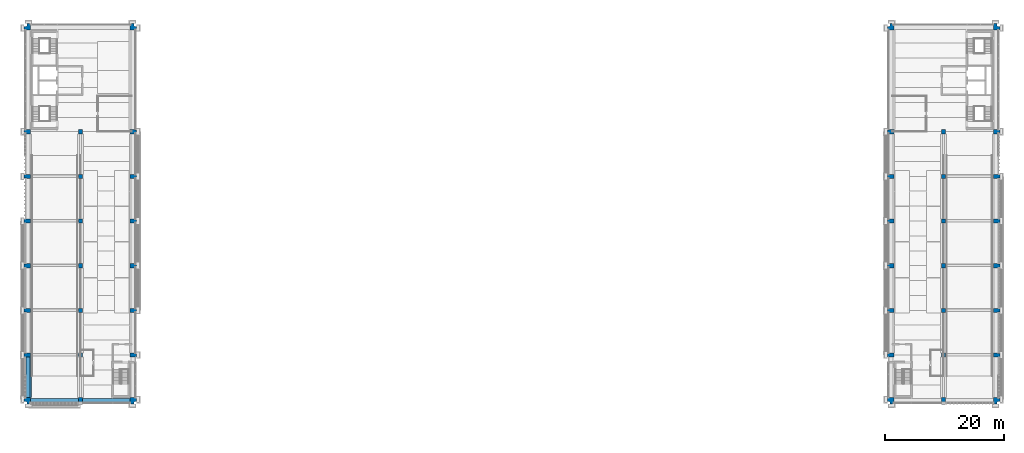
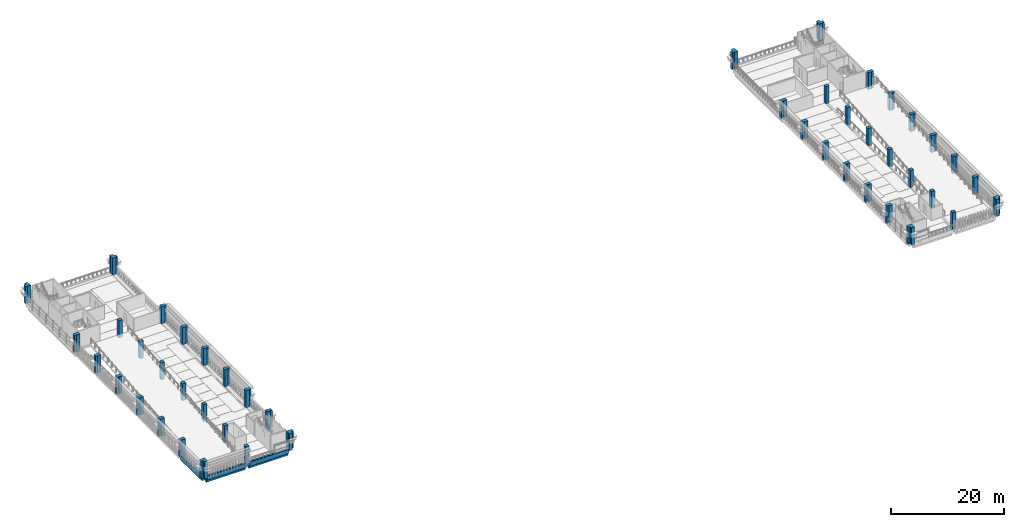
# One storey, part 1 of 25: 46 columns, 3 beams.
"""IFC4 building model written with IfcOpenShell, lengths in metres."""

from ifc_helpers import new_model, si_unit, direction, frame, origin, place, context, subcontext, project, spatial, polyline, outline, extrude, material, material_profile, profile_set, type_object, element, save


model = new_model("IFC4")

# Units and contexts
model_context = context("Model", 3, precision=1e-05, world=origin(), true_north=direction((0.0, 1.0)))
body_context = subcontext(model_context, "Body", "Model", "MODEL_VIEW")
ifc_project = project(units=[si_unit("LENGTHUNIT", "METRE"), si_unit("AREAUNIT", "SQUARE_METRE"), si_unit("VOLUMEUNIT", "CUBIC_METRE"), si_unit("PLANEANGLEUNIT", "RADIAN"), si_unit("MASSUNIT", "GRAM", prefix="KILO")], contexts=[model_context])

# Site, building, storey
site_placement = place(None, origin())
site = spatial("IfcSite", under=ifc_project, at=site_placement, CompositionType="ELEMENT")
building_placement = place(site_placement, origin())
building = spatial("IfcBuilding", under=site, at=building_placement, Name="Cour d'Honneur Mobility Palace", CompositionType="ELEMENT")
storey_placement = place(building_placement, frame((0.0, 0.0, 30.39990234375)))
storey = spatial("IfcBuildingStorey", under=building, at=storey_placement, Name="L08", CompositionType="ELEMENT", Elevation=30.39990234375)

# Columns
ifc_material_1 = material(Name="Concrete C50", Category="concrete")
ifc_material_profile_1 = material_profile(ifc_material_1, outline(polyline([(-0.35009765625, -0.35009765625), (0.35009765625, -0.35009765625), (0.35009765625, -0.300048828125), (0.75, -0.300048828125), (0.75, 0.300048828125), (0.35009765625, 0.300048828125), (0.35009765625, 0.35009765625), (0.300048828125, 0.35009765625), (0.300048828125, 0.75), (-0.300048828125, 0.75), (-0.300048828125, 0.35009765625), (-0.35009765625, 0.35009765625), (-0.35009765625, -0.35009765625)])), Name="PC C700 corner")
ifc_profile_set_1 = profile_set([ifc_material_profile_1], Name="Concrete C50")
column_type_1 = type_object("IfcColumnType", Name="Precast Column 700 corner", PredefinedType="COLUMN", material=ifc_profile_set_1)
for number, where, z_axis, x_axis, name in (
    (1, (0.0, 0.0, 0.0), (0.0, 0.0, 1.0), (-1.0, 0.0, 0.0), "Precast column C7 1/A L08"),
    (2, (17.39990234375, 0.0, 0.0), (0.0, 0.0, 1.0), (0.0, -1.0, 0.0), "Precast column C7 2/A L08"),
    (3, (144.89990234375, 0.0, 0.0), (0.0, 0.0, 1.0), (-1.0, 0.0, 0.0), "Precast column C7 19/A L08"),
    (4, (162.300048828125, 0.0, 0.0), (0.0, 0.0, 1.0), (0.0, -1.0, 0.0), "Precast column C7 20/A L08"),
    (5, (0.0, 62.39990234375, 0.0), (0.0, 0.0, 1.0), (0.0, 1.0, 0.0), "Precast column C7 1/H L08"),
    (6, (17.39990234375, 62.39990234375, 0.0), (0.0, 0.0, 1.0), (1.0, 0.0, 0.0), "Precast column C7 2/H L08"),
    (7, (144.89990234375, 62.39990234375, 0.0), (0.0, 0.0, 1.0), (0.0, 1.0, 0.0), "Precast column C7 19/H L08"),
    (8, (162.300048828125, 62.39990234375, 0.0), (0.0, 0.0, 1.0), (1.0, 0.0, 0.0), "Precast column C7 20/H L08"),
):
    element("IfcColumn", number, at=place(storey_placement, frame(where, z_axis=z_axis, x_axis=x_axis)), inside=storey, type_object=column_type_1, Name=name, PredefinedType="COLUMN", context=body_context, shape_type="SweptSolid", body=[
        extrude(outline(polyline([(-0.35009765625, -0.35009765625), (0.35009765625, -0.35009765625), (0.35009765625, -0.300048828125), (0.75, -0.300048828125), (0.75, 0.300048828125), (0.35009765625, 0.300048828125), (0.35009765625, 0.35009765625), (0.300048828125, 0.35009765625), (0.300048828125, 0.75), (-0.300048828125, 0.75), (-0.300048828125, 0.35009765625), (-0.35009765625, 0.35009765625), (-0.35009765625, -0.35009765625)])), origin(), (0.0, 0.0, 1.0), 3.7001953125),
    ])
ifc_material_2 = material(Name="Concrete C50", Category="concrete")
ifc_material_profile_2 = material_profile(ifc_material_2, outline(polyline([(-0.35009765625, -0.35009765625), (0.35009765625, -0.35009765625), (0.35009765625, -0.300048828125), (0.75, -0.300048828125), (0.75, 0.300048828125), (0.35009765625, 0.300048828125), (0.35009765625, 0.35009765625), (-0.35009765625, 0.35009765625), (-0.35009765625, -0.35009765625)])), Name="PC C700 pilaster")
ifc_profile_set_2 = profile_set([ifc_material_profile_2], Name="Concrete C50")
column_type_2 = type_object("IfcColumnType", Name="Precast Column 700 pilaster", PredefinedType="COLUMN", material=ifc_profile_set_2)
for number, where, z_axis, x_axis, name in (
    (9, (0.0, 7.5, 0.0), (0.0, 0.0, 1.0), (-1.0, 0.0, 0.0), "Precast column C9 1/B L08"),
    (10, (17.39990234375, 7.5, 0.0), (0.0, 0.0, 1.0), (1.0, 0.0, 0.0), "Precast column C9 2/B L08"),
    (11, (144.89990234375, 7.5, 0.0), (0.0, 0.0, 1.0), (-1.0, 0.0, 0.0), "Precast column C9 19/B L08"),
    (12, (162.300048828125, 7.5, 0.0), (0.0, 0.0, 1.0), (1.0, 0.0, 0.0), "Precast column C9 20/B L08"),
    (13, (0.0, 15.0, 0.0), (0.0, 0.0, 1.0), (-1.0, 0.0, 0.0), "Precast column C9 1/C L08"),
    (14, (17.39990234375, 15.0, 0.0), (0.0, 0.0, 1.0), (1.0, 0.0, 0.0), "Precast column C9 2/C L08"),
    (15, (144.89990234375, 15.0, 0.0), (0.0, 0.0, 1.0), (-1.0, 0.0, 0.0), "Precast column C9 19/C L08"),
    (16, (162.300048828125, 15.0, 0.0), (0.0, 0.0, 1.0), (1.0, 0.0, 0.0), "Precast column C9 20/C L08"),
    (17, (0.0, 22.5, 0.0), (0.0, 0.0, 1.0), (-1.0, 0.0, 0.0), "Precast column C9 1/D L08"),
    (18, (17.39990234375, 22.5, 0.0), (0.0, 0.0, 1.0), (1.0, 0.0, 0.0), "Precast column C9 2/D L08"),
    (19, (144.89990234375, 22.5, 0.0), (0.0, 0.0, 1.0), (-1.0, 0.0, 0.0), "Precast column C9 19/D L08"),
    (20, (162.300048828125, 22.5, 0.0), (0.0, 0.0, 1.0), (1.0, 0.0, 0.0), "Precast column C9 20/D L08"),
    (21, (0.0, 30.0, 0.0), (0.0, 0.0, 1.0), (-1.0, 0.0, 0.0), "Precast column C9 1/E L08"),
    (22, (17.39990234375, 30.0, 0.0), (0.0, 0.0, 1.0), (1.0, 0.0, 0.0), "Precast column C9 2/E L08"),
    (23, (144.89990234375, 30.0, 0.0), (0.0, 0.0, 1.0), (-1.0, 0.0, 0.0), "Precast column C9 19/E L08"),
    (24, (162.300048828125, 30.0, 0.0), (0.0, 0.0, 1.0), (1.0, 0.0, 0.0), "Precast column C9 20/E L08"),
    (25, (0.0, 37.5, 0.0), (0.0, 0.0, 1.0), (-1.0, 0.0, 0.0), "Precast column C9 1/F L08"),
    (26, (17.39990234375, 37.5, 0.0), (0.0, 0.0, 1.0), (1.0, 0.0, 0.0), "Precast column C9 2/F L08"),
    (27, (144.89990234375, 37.5, 0.0), (0.0, 0.0, 1.0), (-1.0, 0.0, 0.0), "Precast column C9 19/F L08"),
    (28, (162.300048828125, 37.5, 0.0), (0.0, 0.0, 1.0), (1.0, 0.0, 0.0), "Precast column C9 20/F L08"),
    (29, (0.0, 45.0, 0.0), (0.0, 0.0, 1.0), (-1.0, 0.0, 0.0), "Precast column C9 1/G L08"),
    (30, (17.39990234375, 45.0, 0.0), (0.0, 0.0, 1.0), (1.0, 0.0, 0.0), "Precast column C9 2/G L08"),
    (31, (144.89990234375, 45.0, 0.0), (0.0, 0.0, 1.0), (-1.0, 0.0, 0.0), "Precast column C9 19/G L08"),
    (32, (162.300048828125, 45.0, 0.0), (0.0, 0.0, 1.0), (1.0, 0.0, 0.0), "Precast column C9 20/G L08"),
):
    element("IfcColumn", number, at=place(storey_placement, frame(where, z_axis=z_axis, x_axis=x_axis)), inside=storey, type_object=column_type_2, Name=name, PredefinedType="COLUMN", context=body_context, shape_type="SweptSolid", body=[
        extrude(outline(polyline([(-0.35009765625, -0.35009765625), (0.35009765625, -0.35009765625), (0.35009765625, -0.300048828125), (0.75, -0.300048828125), (0.75, 0.300048828125), (0.35009765625, 0.300048828125), (0.35009765625, 0.35009765625), (-0.35009765625, 0.35009765625), (-0.35009765625, -0.35009765625)])), origin(), (0.0, 0.0, 1.0), 3.7001953125),
    ])
ifc_material_3 = material(Name="Concrete C50", Category="concrete")
ifc_material_profile_3 = material_profile(ifc_material_3, outline(polyline([(-0.35009765625, -0.35009765625), (0.35009765625, -0.35009765625), (0.35009765625, 0.35009765625), (-0.35009765625, 0.35009765625), (-0.35009765625, -0.35009765625)])), Name="PC C700 plain")
ifc_profile_set_3 = profile_set([ifc_material_profile_3], Name="Concrete C50")
column_type_3 = type_object("IfcColumnType", Name="Precast Column 700 plain", PredefinedType="COLUMN", material=ifc_profile_set_3)
for number, where, z_axis, x_axis, name in (
    (33, (8.699951171875, 0.0, 0.0), (0.0, 0.0, 1.0), (1.0, 0.0, 0.0), "Precast column C8 1A/A L08"),
    (34, (153.60009765625, 0.0, 0.0), (0.0, 0.0, 1.0), (1.0, 0.0, 0.0), "Precast column C8 19A/A L08"),
    (35, (8.699951171875, 7.5, 0.0), (0.0, 0.0, 1.0), (1.0, 0.0, 0.0), "Precast column C8 1A/B L08"),
    (36, (153.60009765625, 7.5, 0.0), (0.0, 0.0, 1.0), (1.0, 0.0, 0.0), "Precast column C8 19A/B L08"),
    (37, (8.699951171875, 15.0, 0.0), (0.0, 0.0, 1.0), (1.0, 0.0, 0.0), "Precast column C8 1A/C L08"),
    (38, (153.60009765625, 15.0, 0.0), (0.0, 0.0, 1.0), (1.0, 0.0, 0.0), "Precast column C8 19A/C L08"),
    (39, (8.699951171875, 22.5, 0.0), (0.0, 0.0, 1.0), (1.0, 0.0, 0.0), "Precast column C8 1A/D L08"),
    (40, (153.60009765625, 22.5, 0.0), (0.0, 0.0, 1.0), (1.0, 0.0, 0.0), "Precast column C8 19A/D L08"),
    (41, (8.699951171875, 30.0, 0.0), (0.0, 0.0, 1.0), (1.0, 0.0, 0.0), "Precast column C8 1A/E L08"),
    (42, (153.60009765625, 30.0, 0.0), (0.0, 0.0, 1.0), (1.0, 0.0, 0.0), "Precast column C8 19A/E L08"),
    (43, (8.699951171875, 37.5, 0.0), (0.0, 0.0, 1.0), (1.0, 0.0, 0.0), "Precast column C8 1A/F L08"),
    (44, (153.60009765625, 37.5, 0.0), (0.0, 0.0, 1.0), (1.0, 0.0, 0.0), "Precast column C8 19A/F L08"),
    (45, (8.699951171875, 45.0, 0.0), (0.0, 0.0, 1.0), (1.0, 0.0, 0.0), "Precast column C8 1A/G L08"),
    (46, (153.60009765625, 45.0, 0.0), (0.0, 0.0, 1.0), (1.0, 0.0, 0.0), "Precast column C8 19A/G L08"),
):
    element("IfcColumn", number, at=place(storey_placement, frame(where, z_axis=z_axis, x_axis=x_axis)), inside=storey, type_object=column_type_3, Name=name, PredefinedType="COLUMN", context=body_context, shape_type="SweptSolid", body=[
        extrude(outline(polyline([(-0.35009765625, -0.35009765625), (0.35009765625, -0.35009765625), (0.35009765625, 0.35009765625), (-0.35009765625, 0.35009765625), (-0.35009765625, -0.35009765625)])), origin(), (0.0, 0.0, 1.0), 3.7001953125),
    ])

# Beams
ifc_material_4 = material(Name="Concrete C45", Category="concrete")
ifc_material_profile_4 = material_profile(ifc_material_4, outline(polyline([(0.22509765625, -1.300048828125), (0.22509765625, 0.0), (-0.22509765625, 0.0), (-0.449951171875, 0.0), (-0.449951171875, 0.300048828125), (-0.64990234375, 0.300048828125), (-0.64990234375, -0.60009765625), (-0.22509765625, -0.60009765625), (-0.22509765625, -1.300048828125), (0.22509765625, -1.300048828125)])), Name="Edge Spandrel Beam 450x1300 no ledge facade right")
ifc_profile_set_4 = profile_set([ifc_material_profile_4], Name="Concrete C45")
beam_type_1 = type_object("IfcBeamType", Name="Edge Spandrel Beam 450x1300 no ledge facade right", PredefinedType="SPANDREL", material=ifc_profile_set_4)
for number, where, z_axis, x_axis, name in (
    (47, (0.35009765625, 0.0, 0.0), (1.0, 0.0, 0.0), (0.0, 1.0, 0.0), "Precast beam B1 1-1A L08"),
    (48, (9.050048828125, 0.0, 0.0), (1.0, 0.0, 0.0), (0.0, 1.0, 0.0), "Precast beam B1 1A-2 L08"),
):
    element("IfcBeam", number, at=place(storey_placement, frame(where, z_axis=z_axis, x_axis=x_axis)), inside=storey, type_object=beam_type_1, Name=name, PredefinedType="SPANDREL", context=body_context, shape_type="SweptSolid", body=[
        extrude(outline(polyline([(0.22509765625, -1.300048828125), (0.22509765625, 0.0), (-0.22509765625, 0.0), (-0.449951171875, 0.0), (-0.449951171875, 0.300048828125), (-0.64990234375, 0.300048828125), (-0.64990234375, -0.60009765625), (-0.22509765625, -0.60009765625), (-0.22509765625, -1.300048828125), (0.22509765625, -1.300048828125)])), origin(), (0.0, 0.0, 1.0), 8.0),
    ])
ifc_material_5 = material(Name="Concrete C45", Category="concrete")
ifc_material_profile_5 = material_profile(ifc_material_5, outline(polyline([(0.199951171875, -1.10009765625), (0.199951171875, -0.60009765625), (0.64990234375, -0.60009765625), (0.64990234375, 0.300048828125), (0.449951171875, 0.300048828125), (0.449951171875, 0.0), (0.199951171875, 0.0), (-0.199951171875, 0.0), (-0.199951171875, -0.800048828125), (-0.5, -0.800048828125), (-0.5, -1.10009765625), (0.199951171875, -1.10009765625)])), Name="Ledger Beam 400x1100 ledge right 300 facade left")
ifc_profile_set_5 = profile_set([ifc_material_profile_5], Name="Concrete C45")
beam_type_2 = type_object("IfcBeamType", Name="Ledger Beam 400x1100 ledge right 300 facade left", PredefinedType="BEAM", material=ifc_profile_set_5)
beam_placement = place(storey_placement, frame((0.0, 0.35009765625, 0.0), z_axis=(0.0, 1.0, 0.0), x_axis=(-1.0, 0.0, 0.0)))
element("IfcBeam", 49, at=beam_placement, inside=storey, type_object=beam_type_2, Name="Precast beam B6 A-B L08", PredefinedType="BEAM", context=body_context, shape_type="SweptSolid", body=[
    extrude(outline(polyline([(0.199951171875, -1.10009765625), (0.199951171875, -0.60009765625), (0.64990234375, -0.60009765625), (0.64990234375, 0.300048828125), (0.449951171875, 0.300048828125), (0.449951171875, 0.0), (0.199951171875, 0.0), (-0.199951171875, 0.0), (-0.199951171875, -0.800048828125), (-0.5, -0.800048828125), (-0.5, -1.10009765625), (0.199951171875, -1.10009765625)])), origin(), (0.0, 0.0, 1.0), 6.7998046875),
])

save(model, "model.ifc")
